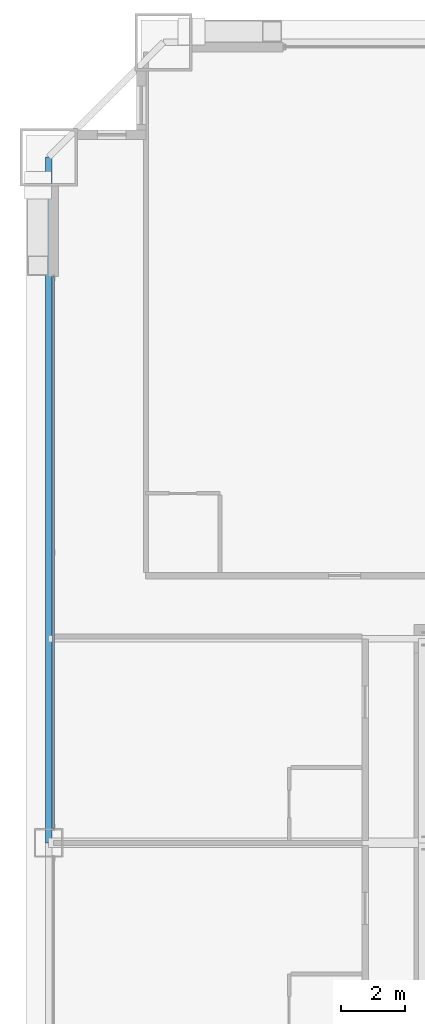
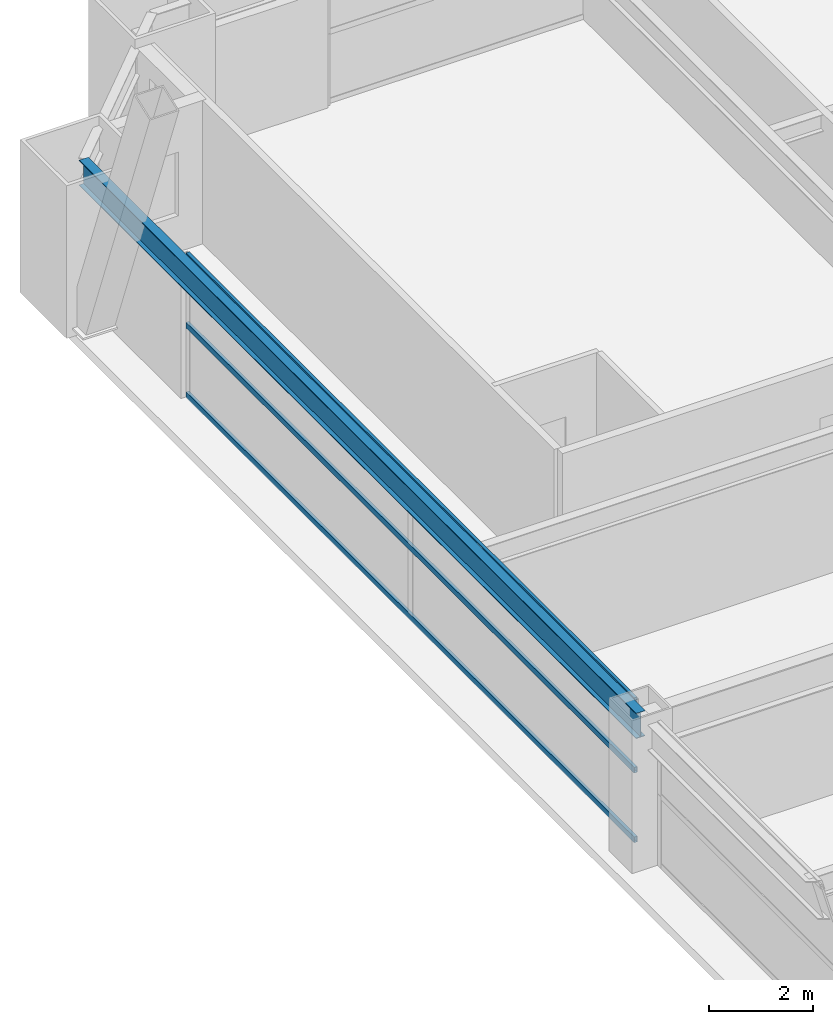
# One storey, part 23 of 43: 3 members, 1 beam, 1 element without a shape of its own.
"""IFC4 building model written with IfcOpenShell, lengths in metres."""

from ifc_helpers import new_model, si_unit, direction, frame, origin, origin_2d, place, context, subcontext, project, spatial, hollow_rectangle, i_section, extrude, source, transform, mapped, material, layer, layer_set, material_profile, profile_set, type_object, element, aggregate, save


model = new_model("IFC4")

# Units and contexts
model_context = context("Model", 3, precision=1e-05, world=origin(), true_north=direction((0.0, 1.0)))
body_context = subcontext(model_context, "Body", "Model", "MODEL_VIEW")
ifc_project = project(units=[si_unit("LENGTHUNIT", "METRE"), si_unit("AREAUNIT", "SQUARE_METRE"), si_unit("VOLUMEUNIT", "CUBIC_METRE"), si_unit("PLANEANGLEUNIT", "RADIAN"), si_unit("MASSUNIT", "GRAM", prefix="KILO"), si_unit("THERMODYNAMICTEMPERATUREUNIT", "KELVIN"), si_unit("POWERUNIT", "WATT")], contexts=[model_context])

# Site, building, storey
site_placement = place(None, origin())
site = spatial("IfcSite", under=ifc_project, at=site_placement, CompositionType="ELEMENT")
building_placement = place(site_placement, origin())
building = spatial("IfcBuilding", under=site, at=building_placement, Name="Yuzanri Waterfront Tower", CompositionType="ELEMENT")
storey_placement = place(building_placement, frame((0.0, 0.0, 60.39990234375)))
storey = spatial("IfcBuildingStorey", under=building, at=storey_placement, Name="L15", CompositionType="ELEMENT", Elevation=60.39990234375)

# Beam
ifc_material_1 = material(Name="Steel Q355B", Category="steel")
ifc_material_profile_1 = material_profile(ifc_material_1, i_section(OverallWidth=0.199951171875, OverallDepth=0.60009765625, WebThickness=0.010986328125, FlangeThickness=0.01708984375, at=origin_2d()), Name="HN 600x200x11x17")
ifc_profile_set_1 = profile_set([ifc_material_profile_1], Name="Steel Q355B")
beam_type = type_object("IfcBeamType", Name="Perimeter Spandrel Q355B HN 600x200", PredefinedType="SPANDREL", material=ifc_profile_set_1)
shared_shape_1 = source(origin(), body_context, "Body", "SweptSolid", [
    extrude(i_section(OverallWidth=0.199951171875, OverallDepth=0.60009765625, WebThickness=0.010986328125, FlangeThickness=0.01708984375, at=origin_2d()), origin(), (0.0, 0.0, 1.0), 21.5),
])
beam_placement = place(storey_placement, frame((11.89990234375, 47.300048828125, 3.080078125), z_axis=(0.0, -1.0, 0.0), x_axis=(1.0, 0.0, 0.0)))
element("IfcBeam", 1, at=beam_placement, inside=storey, type_object=beam_type, Name="L15 Perimeter Spandrel W3-W2", PredefinedType="SPANDREL", context=body_context, shape_type="MappedRepresentation", body=[
    mapped(shared_shape_1, transform((0.0, 0.0, 0.0), scale=1.0)),
])

# Curtain wall, members
ifc_material_2 = material(Name="Anodized Architectural Bronze", Category="metal")
ifc_layer = layer(ifc_material_2, 0.159912109375)
ifc_layer_set = layer_set([ifc_layer], Name="Anodized Architectural Bronze")
curtain_wall_type = type_object("IfcCurtainWallType", Name="Anodized Bronze Hotel Lower-Tier Recessed Unitized Curtain Wall 8100", PredefinedType="NOTDEFINED", material=ifc_layer_set)
curtain_wall_placement = place(storey_placement, origin())
curtain_wall = element("IfcCurtainWall", 2, at=curtain_wall_placement, inside=storey, type_object=curtain_wall_type, Name="L15 Curtain Wall CW-L15-WR", PredefinedType="NOTDEFINED")
ifc_material_3 = material(Name="Anodized Architectural Bronze", Category="metal")
ifc_material_profile_2 = material_profile(ifc_material_3, hollow_rectangle(XDim=0.070068359375, YDim=0.135009765625, WallThickness=0.00341796875, at=origin_2d()), Name="CWT 70x135")
ifc_profile_set_2 = profile_set([ifc_material_profile_2], Name="Anodized Architectural Bronze")
member_type = type_object("IfcMemberType", Name="Anodized Bronze Standard Curtain-Wall Transom 70x135", PredefinedType="USERDEFINED", material=ifc_profile_set_2)
shared_shape_2 = source(origin(), body_context, "Body", "SweptSolid", [
    extrude(hollow_rectangle(XDim=0.070068359375, YDim=0.135009765625, WallThickness=0.00341796875, at=origin_2d()), origin(), (0.0, 0.0, 1.0), 17.300048828125),
])
member_1_placement = place(storey_placement, frame((12.050048828125, 26.25, 0.050048828125), z_axis=(0.0, 1.0, 0.0), x_axis=(-1.0, 0.0, 0.0)))
member_1 = element("IfcMember", 3, at=member_1_placement, type_object=member_type, Name="CW-L15-WR Transom 1", ObjectType="TRANSOM", PredefinedType="USERDEFINED", context=body_context, shape_type="MappedRepresentation", body=[
    mapped(shared_shape_2, transform((0.0, 0.0, 0.0), scale=1.0)),
])
member_2_placement = place(storey_placement, frame((12.050048828125, 26.25, 1.690185546875), z_axis=(0.0, 1.0, 0.0), x_axis=(-1.0, 0.0, 0.0)))
member_2 = element("IfcMember", 4, at=member_2_placement, type_object=member_type, Name="CW-L15-WR Transom 2", ObjectType="TRANSOM", PredefinedType="USERDEFINED", context=body_context, shape_type="MappedRepresentation", body=[
    mapped(shared_shape_2, transform((0.0, 0.0, 0.0), scale=1.0)),
])
member_3_placement = place(storey_placement, frame((12.050048828125, 26.25, 3.330078125), z_axis=(0.0, 1.0, 0.0), x_axis=(-1.0, 0.0, 0.0)))
member_3 = element("IfcMember", 5, at=member_3_placement, type_object=member_type, Name="CW-L15-WR Transom 3", ObjectType="TRANSOM", PredefinedType="USERDEFINED", context=body_context, shape_type="MappedRepresentation", body=[
    mapped(shared_shape_2, transform((0.0, 0.0, 0.0), scale=1.0)),
])
aggregate(curtain_wall, [member_1, member_2, member_3])

save(model, "model.ifc")
